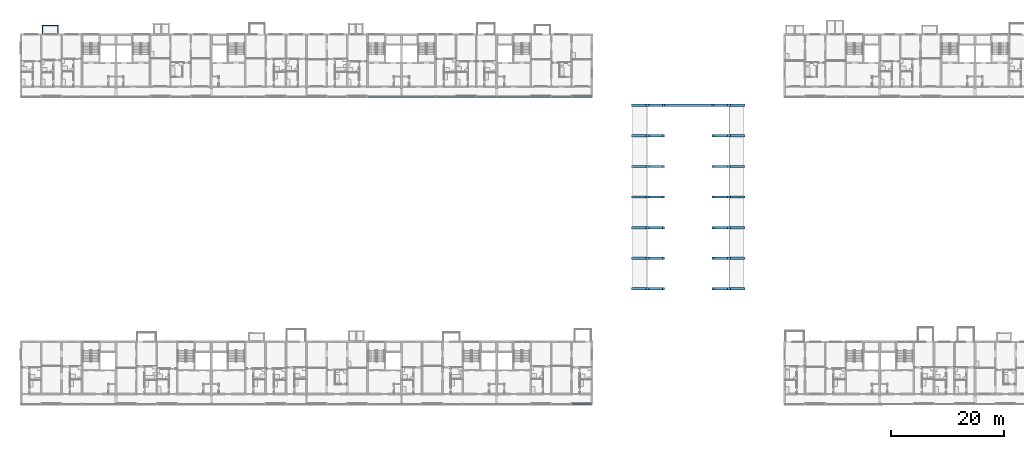
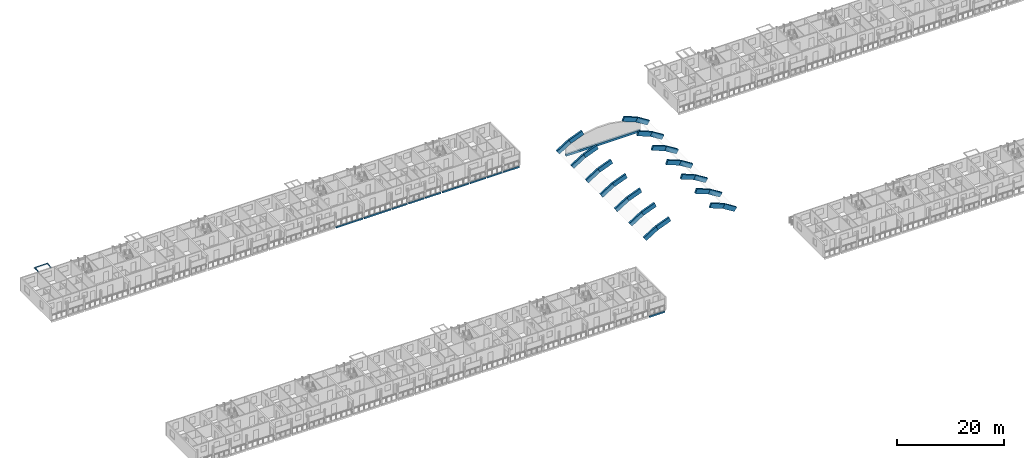
# One storey, part 9 of 99: 42 beams.
"""IFC4 building model written with IfcOpenShell, lengths in metres."""

from ifc_helpers import new_model, si_unit, direction, frame, origin, origin_2d, place, context, subcontext, project, spatial, rectangle, hollow_rectangle, i_section, extrude, material, material_profile, profile_set, type_object, element, save


model = new_model("IFC4")

# Units and contexts
model_context = context("Model", 3, precision=1e-05, world=origin(), true_north=direction((0.0, 1.0)))
body_context = subcontext(model_context, "Body", "Model", "MODEL_VIEW")
ifc_project = project(units=[si_unit("LENGTHUNIT", "METRE"), si_unit("AREAUNIT", "SQUARE_METRE"), si_unit("VOLUMEUNIT", "CUBIC_METRE"), si_unit("PLANEANGLEUNIT", "RADIAN"), si_unit("MASSUNIT", "GRAM", prefix="KILO")], contexts=[model_context])

# Site, building, storey
site_placement = place(None, origin())
site = spatial("IfcSite", under=ifc_project, at=site_placement, CompositionType="ELEMENT")
building_placement = place(site_placement, origin())
building = spatial("IfcBuilding", under=site, at=building_placement, Name="Ridgestep Commons", CompositionType="ELEMENT")
storey_placement = place(building_placement, frame((0.0, 0.0, 15.0)))
storey = spatial("IfcBuildingStorey", under=building, at=storey_placement, Name="L05", CompositionType="ELEMENT", Elevation=15.0)

# Beams
ifc_material_1 = material(Name="Precast concrete C50/60", Category="concrete")
ifc_material_profile_1 = material_profile(ifc_material_1, rectangle(XDim=0.39990234375, YDim=1.0, at=origin_2d()), Name="Hall vault rib 400 x 1000")
ifc_profile_set_1 = profile_set([ifc_material_profile_1], Name="Precast concrete C50/60")
beam_type_1 = type_object("IfcBeamType", Name="Hall vault rib 400 x 1000", PredefinedType="BEAM", material=ifc_profile_set_1)
beam_1_placement = place(storey_placement, frame((120.079833984375, 32.199951171875, 1.19970703125), z_axis=(0.847154758417, 0.0, 0.531346229205), x_axis=(0.0, 1.0, 0.0)))
element("IfcBeam", 1, at=beam_1_placement, inside=storey, type_object=beam_type_1, Name="Hall vault rib R1", PredefinedType="BEAM", context=body_context, shape_type="SweptSolid", body=[
    extrude(rectangle(XDim=0.39990234375, YDim=1.0, at=origin_2d()), origin(), (0.0, 0.0, 1.0), 3.011962890625),
])
for number, where, z_axis, x_axis, name in (
    (2, (122.63134765625, 32.199951171875, 2.800048828125), (0.93188596283, 0.0, 0.362751364271), (0.0, 1.0, 0.0), "Hall vault rib R1"),
    (3, (134.161865234375, 32.199951171875, 3.892578125), (0.93188596283, 0.0, -0.362751364271), (0.0, 1.0, 0.0), "Hall vault rib R1"),
):
    element("IfcBeam", number, at=place(storey_placement, frame(where, z_axis=z_axis, x_axis=x_axis)), inside=storey, type_object=beam_type_1, Name=name, PredefinedType="BEAM", context=body_context, shape_type="SweptSolid", body=[
        extrude(rectangle(XDim=0.39990234375, YDim=1.0, at=origin_2d()), origin(), (0.0, 0.0, 1.0), 3.01171875),
    ])
for number, where, z_axis, x_axis, name in (
    (4, (136.968505859375, 32.199951171875, 2.800048828125), (0.847154758417, 0.0, -0.531346229205), (0.0, 1.0, 0.0), "Hall vault rib R1"),
    (5, (120.079833984375, 37.60009765625, 1.19970703125), (0.847154758417, 0.0, 0.531346229205), (0.0, 1.0, 0.0), "Hall vault rib R2"),
):
    element("IfcBeam", number, at=place(storey_placement, frame(where, z_axis=z_axis, x_axis=x_axis)), inside=storey, type_object=beam_type_1, Name=name, PredefinedType="BEAM", context=body_context, shape_type="SweptSolid", body=[
        extrude(rectangle(XDim=0.39990234375, YDim=1.0, at=origin_2d()), origin(), (0.0, 0.0, 1.0), 3.011962890625),
    ])
for number, where, z_axis, x_axis, name in (
    (6, (122.63134765625, 37.60009765625, 2.800048828125), (0.93188596283, 0.0, 0.362751364271), (0.0, 1.0, 0.0), "Hall vault rib R2"),
    (7, (134.161865234375, 37.60009765625, 3.892578125), (0.93188596283, 0.0, -0.362751364271), (0.0, 1.0, 0.0), "Hall vault rib R2"),
):
    element("IfcBeam", number, at=place(storey_placement, frame(where, z_axis=z_axis, x_axis=x_axis)), inside=storey, type_object=beam_type_1, Name=name, PredefinedType="BEAM", context=body_context, shape_type="SweptSolid", body=[
        extrude(rectangle(XDim=0.39990234375, YDim=1.0, at=origin_2d()), origin(), (0.0, 0.0, 1.0), 3.01171875),
    ])
for number, where, z_axis, x_axis, name in (
    (8, (136.968505859375, 37.60009765625, 2.800048828125), (0.847154758417, 0.0, -0.531346229205), (0.0, 1.0, 0.0), "Hall vault rib R2"),
    (9, (120.079833984375, 43.0, 1.19970703125), (0.847154758417, 0.0, 0.531346229205), (0.0, 1.0, 0.0), "Hall vault rib R3"),
):
    element("IfcBeam", number, at=place(storey_placement, frame(where, z_axis=z_axis, x_axis=x_axis)), inside=storey, type_object=beam_type_1, Name=name, PredefinedType="BEAM", context=body_context, shape_type="SweptSolid", body=[
        extrude(rectangle(XDim=0.39990234375, YDim=1.0, at=origin_2d()), origin(), (0.0, 0.0, 1.0), 3.011962890625),
    ])
for number, where, z_axis, x_axis, name in (
    (10, (122.63134765625, 43.0, 2.800048828125), (0.93188596283, 0.0, 0.362751364271), (0.0, 1.0, 0.0), "Hall vault rib R3"),
    (11, (134.161865234375, 43.0, 3.892578125), (0.93188596283, 0.0, -0.362751364271), (0.0, 1.0, 0.0), "Hall vault rib R3"),
):
    element("IfcBeam", number, at=place(storey_placement, frame(where, z_axis=z_axis, x_axis=x_axis)), inside=storey, type_object=beam_type_1, Name=name, PredefinedType="BEAM", context=body_context, shape_type="SweptSolid", body=[
        extrude(rectangle(XDim=0.39990234375, YDim=1.0, at=origin_2d()), origin(), (0.0, 0.0, 1.0), 3.01171875),
    ])
for number, where, z_axis, x_axis, name in (
    (12, (136.968505859375, 43.0, 2.800048828125), (0.847154758417, 0.0, -0.531346229205), (0.0, 1.0, 0.0), "Hall vault rib R3"),
    (13, (120.079833984375, 48.39990234375, 1.19970703125), (0.847154758417, 0.0, 0.531346229205), (0.0, 1.0, 0.0), "Hall vault rib R4"),
):
    element("IfcBeam", number, at=place(storey_placement, frame(where, z_axis=z_axis, x_axis=x_axis)), inside=storey, type_object=beam_type_1, Name=name, PredefinedType="BEAM", context=body_context, shape_type="SweptSolid", body=[
        extrude(rectangle(XDim=0.39990234375, YDim=1.0, at=origin_2d()), origin(), (0.0, 0.0, 1.0), 3.011962890625),
    ])
for number, where, z_axis, x_axis, name in (
    (14, (122.63134765625, 48.39990234375, 2.800048828125), (0.93188596283, 0.0, 0.362751364271), (0.0, 1.0, 0.0), "Hall vault rib R4"),
    (15, (134.161865234375, 48.39990234375, 3.892578125), (0.93188596283, 0.0, -0.362751364271), (0.0, 1.0, 0.0), "Hall vault rib R4"),
):
    element("IfcBeam", number, at=place(storey_placement, frame(where, z_axis=z_axis, x_axis=x_axis)), inside=storey, type_object=beam_type_1, Name=name, PredefinedType="BEAM", context=body_context, shape_type="SweptSolid", body=[
        extrude(rectangle(XDim=0.39990234375, YDim=1.0, at=origin_2d()), origin(), (0.0, 0.0, 1.0), 3.01171875),
    ])
for number, where, z_axis, x_axis, name in (
    (16, (136.968505859375, 48.39990234375, 2.800048828125), (0.847154758417, 0.0, -0.531346229205), (0.0, 1.0, 0.0), "Hall vault rib R4"),
    (17, (120.079833984375, 53.800048828125, 1.19970703125), (0.847154758417, 0.0, 0.531346229205), (0.0, 1.0, 0.0), "Hall vault rib R5"),
):
    element("IfcBeam", number, at=place(storey_placement, frame(where, z_axis=z_axis, x_axis=x_axis)), inside=storey, type_object=beam_type_1, Name=name, PredefinedType="BEAM", context=body_context, shape_type="SweptSolid", body=[
        extrude(rectangle(XDim=0.39990234375, YDim=1.0, at=origin_2d()), origin(), (0.0, 0.0, 1.0), 3.011962890625),
    ])
for number, where, z_axis, x_axis, name in (
    (18, (122.63134765625, 53.800048828125, 2.800048828125), (0.93188596283, 0.0, 0.362751364271), (0.0, 1.0, 0.0), "Hall vault rib R5"),
    (19, (134.161865234375, 53.800048828125, 3.892578125), (0.93188596283, 0.0, -0.362751364271), (0.0, 1.0, 0.0), "Hall vault rib R5"),
):
    element("IfcBeam", number, at=place(storey_placement, frame(where, z_axis=z_axis, x_axis=x_axis)), inside=storey, type_object=beam_type_1, Name=name, PredefinedType="BEAM", context=body_context, shape_type="SweptSolid", body=[
        extrude(rectangle(XDim=0.39990234375, YDim=1.0, at=origin_2d()), origin(), (0.0, 0.0, 1.0), 3.01171875),
    ])
for number, where, z_axis, x_axis, name in (
    (20, (136.968505859375, 53.800048828125, 2.800048828125), (0.847154758417, 0.0, -0.531346229205), (0.0, 1.0, 0.0), "Hall vault rib R5"),
    (21, (120.079833984375, 59.199951171875, 1.19970703125), (0.847154758417, 0.0, 0.531346229205), (0.0, 1.0, 0.0), "Hall vault rib R6"),
):
    element("IfcBeam", number, at=place(storey_placement, frame(where, z_axis=z_axis, x_axis=x_axis)), inside=storey, type_object=beam_type_1, Name=name, PredefinedType="BEAM", context=body_context, shape_type="SweptSolid", body=[
        extrude(rectangle(XDim=0.39990234375, YDim=1.0, at=origin_2d()), origin(), (0.0, 0.0, 1.0), 3.011962890625),
    ])
for number, where, z_axis, x_axis, name in (
    (22, (122.63134765625, 59.199951171875, 2.800048828125), (0.93188596283, 0.0, 0.362751364271), (0.0, 1.0, 0.0), "Hall vault rib R6"),
    (23, (134.161865234375, 59.199951171875, 3.892578125), (0.93188596283, 0.0, -0.362751364271), (0.0, 1.0, 0.0), "Hall vault rib R6"),
):
    element("IfcBeam", number, at=place(storey_placement, frame(where, z_axis=z_axis, x_axis=x_axis)), inside=storey, type_object=beam_type_1, Name=name, PredefinedType="BEAM", context=body_context, shape_type="SweptSolid", body=[
        extrude(rectangle(XDim=0.39990234375, YDim=1.0, at=origin_2d()), origin(), (0.0, 0.0, 1.0), 3.01171875),
    ])
for number, where, z_axis, x_axis, name in (
    (24, (136.968505859375, 59.199951171875, 2.800048828125), (0.847154758417, 0.0, -0.531346229205), (0.0, 1.0, 0.0), "Hall vault rib R6"),
    (25, (120.079833984375, 64.60009765625, 1.19970703125), (0.847154758417, 0.0, 0.531346229205), (0.0, 1.0, 0.0), "Hall vault rib R7"),
):
    element("IfcBeam", number, at=place(storey_placement, frame(where, z_axis=z_axis, x_axis=x_axis)), inside=storey, type_object=beam_type_1, Name=name, PredefinedType="BEAM", context=body_context, shape_type="SweptSolid", body=[
        extrude(rectangle(XDim=0.39990234375, YDim=1.0, at=origin_2d()), origin(), (0.0, 0.0, 1.0), 3.011962890625),
    ])
for number, where, z_axis, x_axis, name in (
    (26, (122.63134765625, 64.60009765625, 2.800048828125), (0.93188596283, 0.0, 0.362751364271), (0.0, 1.0, 0.0), "Hall vault rib R7"),
    (27, (134.161865234375, 64.60009765625, 3.892578125), (0.93188596283, 0.0, -0.362751364271), (0.0, 1.0, 0.0), "Hall vault rib R7"),
):
    element("IfcBeam", number, at=place(storey_placement, frame(where, z_axis=z_axis, x_axis=x_axis)), inside=storey, type_object=beam_type_1, Name=name, PredefinedType="BEAM", context=body_context, shape_type="SweptSolid", body=[
        extrude(rectangle(XDim=0.39990234375, YDim=1.0, at=origin_2d()), origin(), (0.0, 0.0, 1.0), 3.01171875),
    ])
beam_2_placement = place(storey_placement, frame((136.968505859375, 64.60009765625, 2.800048828125), z_axis=(0.847154758417, 0.0, -0.531346229205), x_axis=(0.0, 1.0, 0.0)))
element("IfcBeam", 28, at=beam_2_placement, inside=storey, type_object=beam_type_1, Name="Hall vault rib R7", PredefinedType="BEAM", context=body_context, shape_type="SweptSolid", body=[
    extrude(rectangle(XDim=0.39990234375, YDim=1.0, at=origin_2d()), origin(), (0.0, 0.0, 1.0), 3.011962890625),
])
ifc_material_2 = material(Name="Precast concrete C40/50", Category="concrete")
ifc_material_profile_2 = material_profile(ifc_material_2, rectangle(XDim=0.39990234375, YDim=0.5, at=origin_2d()), Name="Lintel 400 x 500")
ifc_profile_set_2 = profile_set([ifc_material_profile_2], Name="Precast concrete C40/50")
beam_type_2 = type_object("IfcBeamType", Name="Lintel 400 x 500", PredefinedType="BEAM", material=ifc_profile_set_2)
beam_3_placement = place(storey_placement, frame((121.800048828125, 64.60009765625, 0.0), z_axis=(1.0, 0.0, 0.0), x_axis=(0.0, 1.0, 0.0)))
element("IfcBeam", 29, at=beam_3_placement, inside=storey, type_object=beam_type_2, Name="Gable lintel", PredefinedType="BEAM", context=body_context, shape_type="SweptSolid", body=[
    extrude(rectangle(XDim=0.39990234375, YDim=0.5, at=origin_2d()), origin(), (0.0, 0.0, 1.0), 16.0),
])
ifc_material_3 = material(Name="Precast concrete C40/50", Category="concrete")
ifc_material_profile_3 = material_profile(ifc_material_3, rectangle(XDim=0.25, YDim=0.35009765625, at=origin_2d()), Name="PC 250x350")
ifc_profile_set_3 = profile_set([ifc_material_profile_3], Name="Precast concrete C40/50")
beam_type_3 = type_object("IfcBeamType", Name="Loggia edge beam 250 x 350", PredefinedType="SPANDREL", material=ifc_profile_set_3)
beam_4_placement = place(storey_placement, frame((109.324951171875, 11.875, -0.375), z_axis=(1.0, 0.0, 0.0), x_axis=(0.0, 1.0, 0.0)))
element("IfcBeam", 30, at=beam_4_placement, inside=storey, type_object=beam_type_3, Name="Loggia edge beam A6T1 L05", PredefinedType="SPANDREL", context=body_context, shape_type="SweptSolid", body=[
    extrude(rectangle(XDim=0.25, YDim=0.35009765625, at=origin_2d()), origin(), (0.0, 0.0, 1.0), 3.324951171875),
])
beam_5_placement = place(storey_placement, frame((73.324951171875, 66.125, -0.375), z_axis=(1.0, 0.0, 0.0), x_axis=(0.0, 1.0, 0.0)))
element("IfcBeam", 31, at=beam_5_placement, inside=storey, type_object=beam_type_3, Name="Loggia edge beam B4C L05", PredefinedType="SPANDREL", context=body_context, shape_type="SweptSolid", body=[
    extrude(rectangle(XDim=0.25, YDim=0.35009765625, at=origin_2d()), origin(), (0.0, 0.0, 1.0), 5.72509765625),
])
beam_6_placement = place(storey_placement, frame((79.35009765625, 66.125, -0.375), z_axis=(1.0, 0.0, 0.0), x_axis=(0.0, 1.0, 0.0)))
element("IfcBeam", 32, at=beam_6_placement, inside=storey, type_object=beam_type_3, Name="Loggia edge beam B5C L05", PredefinedType="SPANDREL", context=body_context, shape_type="SweptSolid", body=[
    extrude(rectangle(XDim=0.25, YDim=0.35009765625, at=origin_2d()), origin(), (0.0, 0.0, 1.0), 5.724853515625),
])
beam_7_placement = place(storey_placement, frame((85.324951171875, 66.125, -0.375), z_axis=(1.0, 0.0, 0.0), x_axis=(0.0, 1.0, 0.0)))
element("IfcBeam", 33, at=beam_7_placement, inside=storey, type_object=beam_type_3, Name="Loggia edge beam B5T3 L05", PredefinedType="SPANDREL", context=body_context, shape_type="SweptSolid", body=[
    extrude(rectangle(XDim=0.25, YDim=0.35009765625, at=origin_2d()), origin(), (0.0, 0.0, 1.0), 3.35009765625),
])
beam_8_placement = place(storey_placement, frame((88.925048828125, 66.125, -0.375), z_axis=(1.0, 0.0, 0.0), x_axis=(0.0, 1.0, 0.0)))
element("IfcBeam", 34, at=beam_8_placement, inside=storey, type_object=beam_type_3, Name="Loggia edge beam B5T2 L05", PredefinedType="SPANDREL", context=body_context, shape_type="SweptSolid", body=[
    extrude(rectangle(XDim=0.25, YDim=0.35009765625, at=origin_2d()), origin(), (0.0, 0.0, 1.0), 3.349853515625),
])
beam_9_placement = place(storey_placement, frame((92.52490234375, 66.125, -0.375), z_axis=(1.0, 0.0, 0.0), x_axis=(0.0, 1.0, 0.0)))
element("IfcBeam", 35, at=beam_9_placement, inside=storey, type_object=beam_type_3, Name="Loggia edge beam B5T1 L05", PredefinedType="SPANDREL", context=body_context, shape_type="SweptSolid", body=[
    extrude(rectangle(XDim=0.25, YDim=0.35009765625, at=origin_2d()), origin(), (0.0, 0.0, 1.0), 3.3251953125),
])
beam_10_placement = place(storey_placement, frame((96.14990234375, 66.125, -0.375), z_axis=(1.0, 0.0, 0.0), x_axis=(0.0, 1.0, 0.0)))
element("IfcBeam", 36, at=beam_10_placement, inside=storey, type_object=beam_type_3, Name="Loggia edge beam B6C L05", PredefinedType="SPANDREL", context=body_context, shape_type="SweptSolid", body=[
    extrude(rectangle(XDim=0.25, YDim=0.35009765625, at=origin_2d()), origin(), (0.0, 0.0, 1.0), 5.72509765625),
])
beam_11_placement = place(storey_placement, frame((102.125, 66.125, -0.375), z_axis=(1.0, 0.0, 0.0), x_axis=(0.0, 1.0, 0.0)))
element("IfcBeam", 37, at=beam_11_placement, inside=storey, type_object=beam_type_3, Name="Loggia edge beam B6T3 L05", PredefinedType="SPANDREL", context=body_context, shape_type="SweptSolid", body=[
    extrude(rectangle(XDim=0.25, YDim=0.35009765625, at=origin_2d()), origin(), (0.0, 0.0, 1.0), 3.35009765625),
])
beam_12_placement = place(storey_placement, frame((105.72509765625, 66.125, -0.375), z_axis=(1.0, 0.0, 0.0), x_axis=(0.0, 1.0, 0.0)))
element("IfcBeam", 38, at=beam_12_placement, inside=storey, type_object=beam_type_3, Name="Loggia edge beam B6T2 L05", PredefinedType="SPANDREL", context=body_context, shape_type="SweptSolid", body=[
    extrude(rectangle(XDim=0.25, YDim=0.35009765625, at=origin_2d()), origin(), (0.0, 0.0, 1.0), 3.349853515625),
])
beam_13_placement = place(storey_placement, frame((109.324951171875, 66.125, -0.375), z_axis=(1.0, 0.0, 0.0), x_axis=(0.0, 1.0, 0.0)))
element("IfcBeam", 39, at=beam_13_placement, inside=storey, type_object=beam_type_3, Name="Loggia edge beam B6T1 L05", PredefinedType="SPANDREL", context=body_context, shape_type="SweptSolid", body=[
    extrude(rectangle(XDim=0.25, YDim=0.35009765625, at=origin_2d()), origin(), (0.0, 0.0, 1.0), 3.324951171875),
])
ifc_material_4 = material(Name="Weathering steel S355J2W", Category="steel")
ifc_material_profile_4 = material_profile(ifc_material_4, i_section(OverallWidth=0.101806640625, OverallDepth=0.203125, WebThickness=0.00537109375, FlangeThickness=0.00927734375, FilletRadius=0.007568359375, at=origin_2d()), Name="UB 203x102x23")
ifc_profile_set_4 = profile_set([ifc_material_profile_4], Name="Weathering steel S355J2W")
beam_type_4 = type_object("IfcBeamType", Name="Tray arm UB 203x102x23", PredefinedType="BEAM", material=ifc_profile_set_4)
for number, where, z_axis, x_axis, name in (
    (40, (15.85009765625, 77.264892578125, 2.888427734375), (0.0, 1.0, 0.0), (-1.0, 0.0, 0.0), "Tray arm B1T2-06.1"),
    (41, (18.550048828125, 77.264892578125, 2.888427734375), (0.0, 1.0, 0.0), (-1.0, 0.0, 0.0), "Tray arm B1T2-06.2"),
):
    element("IfcBeam", number, at=place(storey_placement, frame(where, z_axis=z_axis, x_axis=x_axis)), inside=storey, type_object=beam_type_4, Name=name, PredefinedType="BEAM", context=body_context, shape_type="SweptSolid", body=[
        extrude(i_section(OverallWidth=0.101806640625, OverallDepth=0.203125, WebThickness=0.00537109375, FlangeThickness=0.00927734375, FilletRadius=0.007568359375, at=origin_2d()), origin(), (0.0, 0.0, 1.0), 1.364990234375),
    ])
ifc_material_5 = material(Name="Weathering steel S355J2W", Category="steel")
ifc_material_profile_5 = material_profile(ifc_material_5, hollow_rectangle(XDim=0.1201171875, YDim=0.1201171875, WallThickness=0.00634765625, InnerFilletRadius=0.00634765625, OuterFilletRadius=0.009521484375, at=origin_2d()), Name="SHS 120x120x6.3")
ifc_profile_set_5 = profile_set([ifc_material_profile_5], Name="Weathering steel S355J2W")
beam_type_5 = type_object("IfcBeamType", Name="Tray edge member SHS 120x120x6.3", PredefinedType="BEAM", material=ifc_profile_set_5)
beam_14_placement = place(storey_placement, frame((15.72998046875, 78.68994140625, 2.929931640625), z_axis=(1.0, 0.0, 0.0), x_axis=(0.0, 0.0, 1.0)))
element("IfcBeam", 42, at=beam_14_placement, inside=storey, type_object=beam_type_5, Name="Tray edge member B1T2-06", PredefinedType="BEAM", context=body_context, shape_type="SweptSolid", body=[
    extrude(hollow_rectangle(XDim=0.1201171875, YDim=0.1201171875, WallThickness=0.00634765625, InnerFilletRadius=0.00634765625, OuterFilletRadius=0.009521484375, at=origin_2d()), origin(), (0.0, 0.0, 1.0), 2.93994140625),
])

save(model, "model.ifc")
